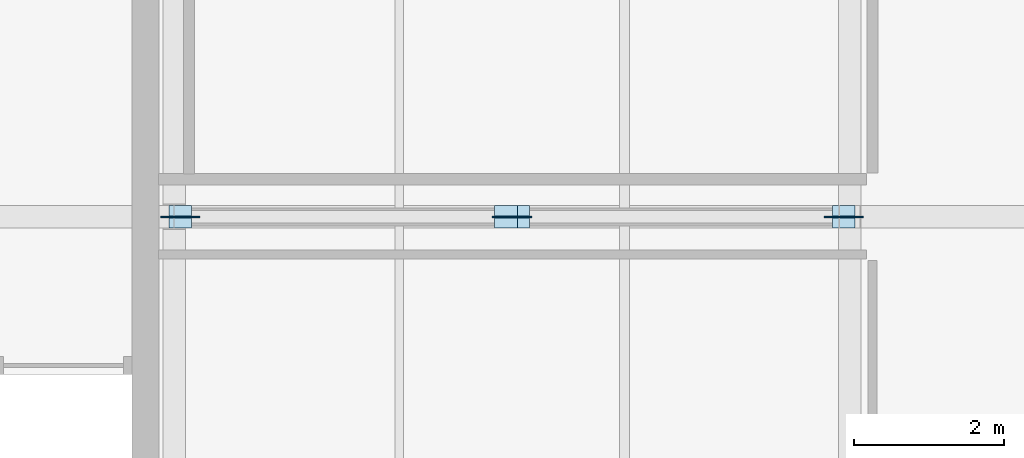
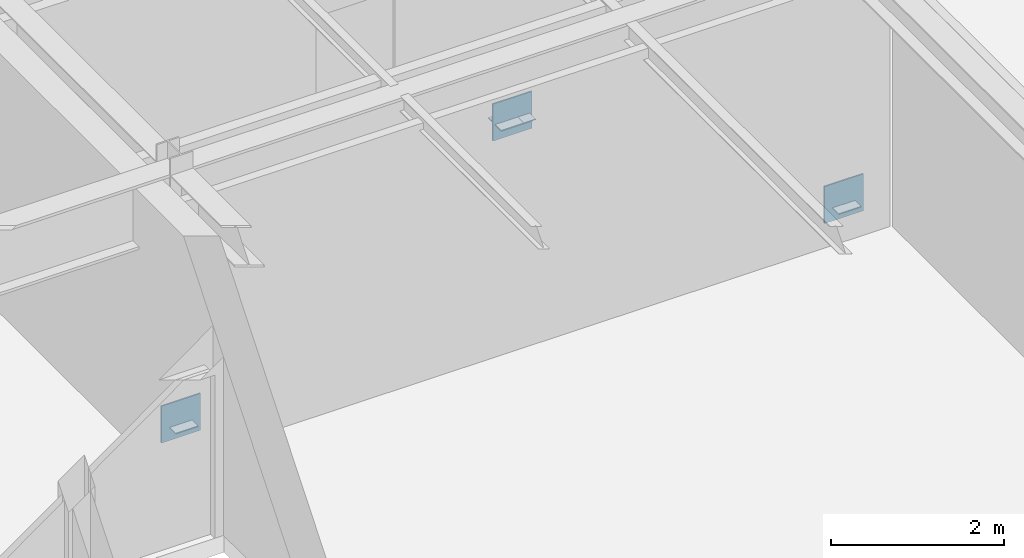
# One storey, part 19 of 36: 7 plates.
"""IFC4 building model written with IfcOpenShell, lengths in metres."""

from ifc_helpers import new_model, si_unit, direction, frame, origin, origin_2d, place, context, subcontext, project, spatial, rectangle, extrude, material, layer, layer_set, type_object, element, save


model = new_model("IFC4")

# Units and contexts
model_context = context("Model", 3, precision=1e-05, world=origin(), true_north=direction((0.0, 1.0)))
body_context = subcontext(model_context, "Body", "Model", "MODEL_VIEW")
ifc_project = project(units=[si_unit("LENGTHUNIT", "METRE"), si_unit("AREAUNIT", "SQUARE_METRE"), si_unit("VOLUMEUNIT", "CUBIC_METRE"), si_unit("PLANEANGLEUNIT", "RADIAN"), si_unit("MASSUNIT", "GRAM", prefix="KILO")], contexts=[model_context])

# Site, building, storey
site_placement = place(None, origin())
site = spatial("IfcSite", under=ifc_project, at=site_placement, CompositionType="ELEMENT")
building_placement = place(site_placement, origin())
building = spatial("IfcBuilding", under=site, at=building_placement, Name="Montelvaro Courts of Justice", CompositionType="ELEMENT")
storey_placement = place(building_placement, frame((0.0, 0.0, 23.39990234375)))
storey = spatial("IfcBuildingStorey", under=building, at=storey_placement, Name="L05", CompositionType="ELEMENT", Elevation=23.39990234375)

# Plates
ifc_material = material(Name="Steel S355", Category="steel")
ifc_layer_1 = layer(ifc_material, 0.011962890625)
ifc_layer_set_1 = layer_set([ifc_layer_1], Name="Steel S355")
plate_type_1 = type_object("IfcPlateType", Name="EndCapPlate_12", PredefinedType="USERDEFINED", material=ifc_layer_set_1)
for number, where, z_axis, x_axis, name in (
    (1, (63.080078125, 12.0, 0.07421875), (0.0, 0.0, 1.0), (1.0, 0.0, 0.0), "Brace End Cap Plate CP-01 CBF1-L05-1A"),
    (2, (67.419921875, 12.0, 2.82421875), (0.0, 0.0, 1.0), (1.0, 0.0, 0.0), "Brace End Cap Plate CP-01 CBF1-L05-1B"),
    (3, (71.919921875, 12.0, 0.07421875), (0.0, 0.0, 1.0), (1.0, 0.0, 0.0), "Brace End Cap Plate CP-01 CBF1-L05-2A"),
    (4, (67.580078125, 12.0, 2.82421875), (0.0, 0.0, 1.0), (1.0, 0.0, 0.0), "Brace End Cap Plate CP-01 CBF1-L05-2B"),
):
    element("IfcPlate", number, at=place(storey_placement, frame(where, z_axis=z_axis, x_axis=x_axis)), inside=storey, type_object=plate_type_1, Name=name, ObjectType="GUSSET PLATE", PredefinedType="USERDEFINED", context=body_context, shape_type="SweptSolid", body=[
        extrude(rectangle(XDim=0.300048828125, YDim=0.300048828125, at=origin_2d()), origin(), (0.0, 0.0, 1.0), 0.011962890625),
    ])
ifc_layer_2 = layer(ifc_material, 0.02001953125)
ifc_layer_set_2 = layer_set([ifc_layer_2], Name="Steel S355")
plate_type_2 = type_object("IfcPlateType", Name="GussetPlate_20", PredefinedType="USERDEFINED", material=ifc_layer_set_2)
for number, where, z_axis, x_axis, name in (
    (5, (63.080078125, 12.0, -0.099853515625), (0.0, 0.0, 1.0), (1.0, 0.0, 0.0), "Chevron Brace Base Gusset Plate GP-01 CBF1-L05-B1"),
    (6, (71.919921875, 12.0, -0.099853515625), (0.0, 0.0, 1.0), (1.0, 0.0, 0.0), "Chevron Brace Base Gusset Plate GP-01 CBF1-L05-B2"),
    (7, (67.5, 12.0, 2.610107421875), (0.0, 0.0, 1.0), (1.0, 0.0, 0.0), "Chevron Brace Gusset Plate GP-01 CBF1-L05"),
):
    element("IfcPlate", number, at=place(storey_placement, frame(where, z_axis=z_axis, x_axis=x_axis)), inside=storey, type_object=plate_type_2, Name=name, ObjectType="GUSSET PLATE", PredefinedType="USERDEFINED", context=body_context, shape_type="SweptSolid", body=[
        extrude(rectangle(XDim=0.52001953125, YDim=0.02001953125, at=origin_2d()), origin(), (0.0, 0.0, 1.0), 0.52001953125),
    ])

save(model, "model.ifc")
